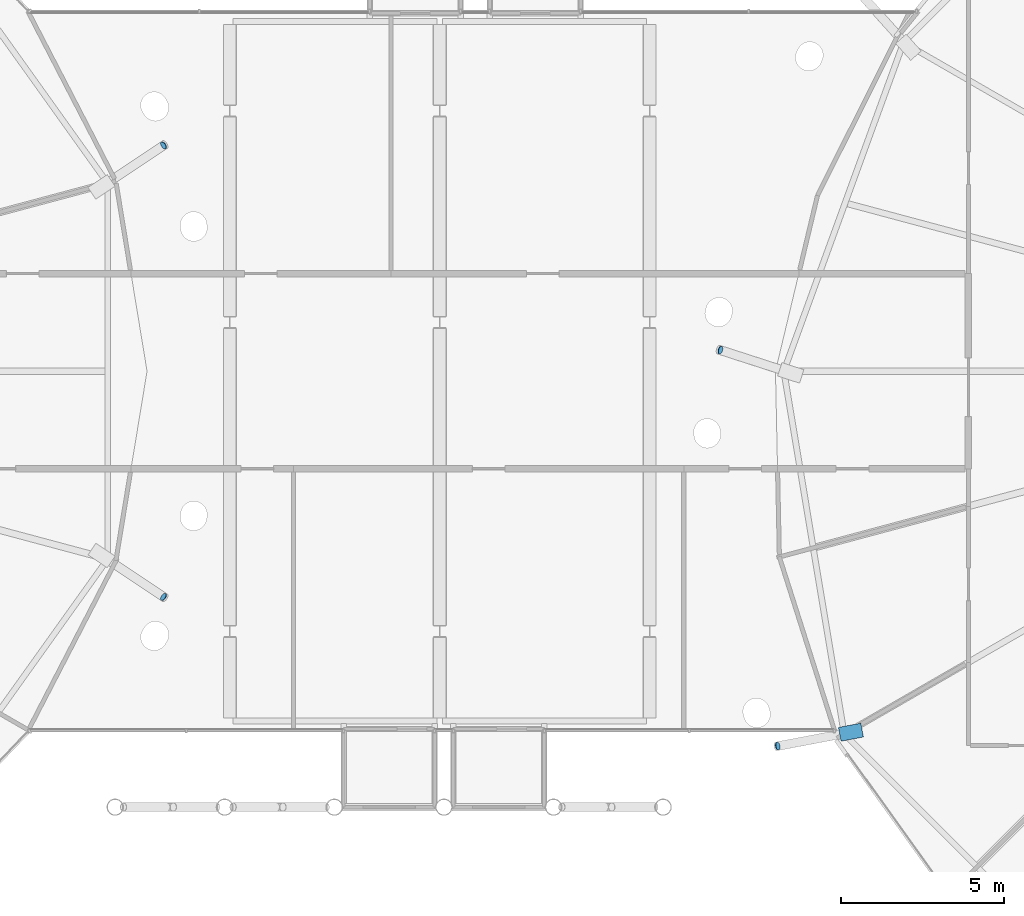
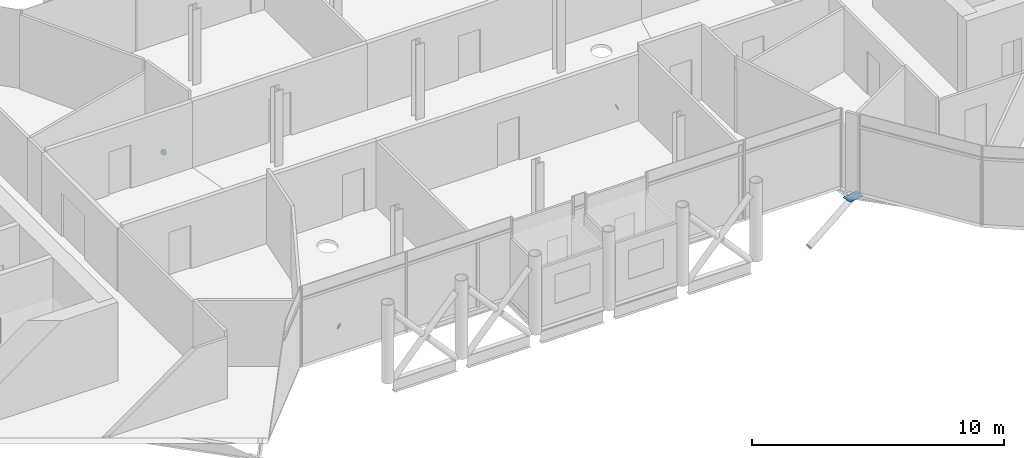
# One storey, part 32 of 40: 5 discrete accessories.
"""IFC4 building model written with IfcOpenShell, lengths in metres."""

from ifc_helpers import new_model, si_unit, direction, frame, origin, origin_2d, place, context, subcontext, project, spatial, polyline, rectangle, circle, outline, extrude, material, material_profile, profile_set, type_object, element, save


model = new_model("IFC4")

# Units and contexts
model_context = context("Model", 3, precision=1e-05, world=origin(), true_north=direction((0.0, 1.0)))
body_context = subcontext(model_context, "Body", "Model", "MODEL_VIEW")
ifc_project = project(units=[si_unit("LENGTHUNIT", "METRE"), si_unit("AREAUNIT", "SQUARE_METRE"), si_unit("VOLUMEUNIT", "CUBIC_METRE"), si_unit("PLANEANGLEUNIT", "RADIAN"), si_unit("MASSUNIT", "GRAM", prefix="KILO")], contexts=[model_context])

# Site, building, storey
site_placement = place(None, origin())
site = spatial("IfcSite", under=ifc_project, at=site_placement, CompositionType="ELEMENT")
building_placement = place(site_placement, origin())
building = spatial("IfcBuilding", under=site, at=building_placement, Name="Rimbun Link Towers", CompositionType="ELEMENT")
storey_placement = place(building_placement, frame((0.0, 0.0, 150.60009765625)))
storey = spatial("IfcBuildingStorey", under=building, at=storey_placement, Name="L36", CompositionType="ELEMENT", Elevation=150.60009765625)

# Discrete accessories
ifc_material_1 = material(Name="Steel S355J2H", Category="steel")
ifc_material_profile_1 = material_profile(ifc_material_1, circle(Radius=0.1240234375, at=origin_2d()), Name="PL D248")
ifc_profile_set_1 = profile_set([ifc_material_profile_1], Name="Steel S355J2H")
discrete_accessory_type_1 = type_object("IfcDiscreteAccessoryType", Name="Link foot sealing plate D248X20", PredefinedType="BRACKET", material=ifc_profile_set_1)
for number, where, z_axis, x_axis, name in (
    (1, (-8.49462890625, 6.935546875, -2.038330078125), (0.717487647354, 0.486432303291, -0.498593110873), (-0.561158303868, 0.827708498205, 0.0), "Link foot sealing plate T1 L36 01"),
    (2, (-8.49462890625, -6.935546875, -2.038330078125), (0.717487647354, -0.486432303291, -0.498593110873), (0.561158303868, 0.827708498205, 0.0), "Link foot sealing plate T1 L36 23"),
    (3, (8.631103515625, 0.64453125, -2.034912109375), (-0.82528890838, 0.267005235064, -0.497600665347), (-0.307820285415, -0.951444518554, 0.0), "Link foot sealing plate T2 L36 09"),
    (4, (10.394287109375, -11.52294921875, -1.994140625), (-0.843346868639, -0.158891439019, -0.513341572215), (0.185148369866, -0.98271057852, 0.0), "Link foot sealing plate T2 L36 11"),
):
    element("IfcDiscreteAccessory", number, at=place(storey_placement, frame(where, z_axis=z_axis, x_axis=x_axis)), inside=storey, type_object=discrete_accessory_type_1, Name=name, PredefinedType="BRACKET", context=body_context, shape_type="SweptSolid", body=[
        extrude(circle(Radius=0.1240234375, at=origin_2d()), origin(), (0.0, 0.0, 1.0), 0.02001953125),
    ])
ifc_material_2 = material(Name="Steel S355J2H", Category="steel")
ifc_material_profile_2 = material_profile(ifc_material_2, rectangle(XDim=0.43310546875, YDim=0.43310546875, at=origin_2d()), Name="PL 433x433")
ifc_profile_set_2 = profile_set([ifc_material_profile_2], Name="Steel S355J2H")
discrete_accessory_type_2 = type_object("IfcDiscreteAccessoryType", Name="Link head end plate 433X20", PredefinedType="BRACKET", material=ifc_profile_set_2)
discrete_accessory_placement = place(storey_placement, frame((0.0, 0.0, -0.653564453125)))
element("IfcDiscreteAccessory", 5, at=discrete_accessory_placement, inside=storey, type_object=discrete_accessory_type_2, Name="Link head end plate T2 L36 11", PredefinedType="BRACKET", context=body_context, shape_type="SweptSolid", body=[
    extrude(outline(polyline([(12.941650390625, -10.8193359375), (12.254638671875, -10.94970703125), (12.335205078125, -11.375), (13.0224609375, -11.24462890625), (12.941650390625, -10.8193359375)])), origin(), (0.0, 0.0, 1.0), 0.02001953125),
])

save(model, "model.ifc")
